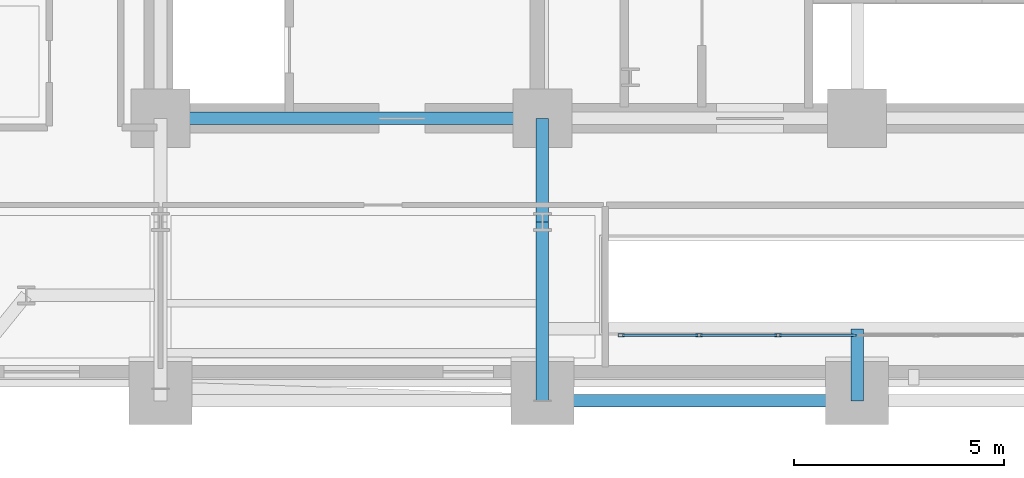
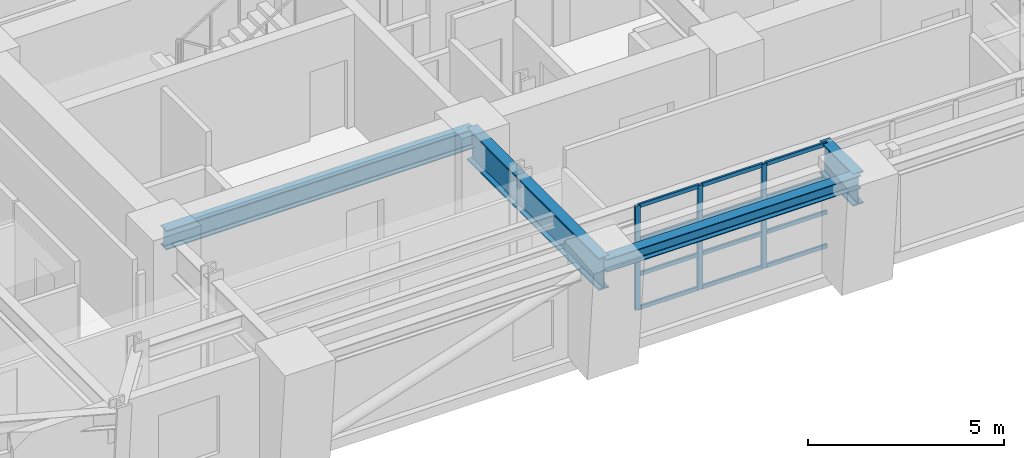
# One storey, part 2 of 16: 15 members, 5 beams, 1 element without a shape of its own.
"""IFC4 building model written with IfcOpenShell, lengths in metres."""

from ifc_helpers import new_model, si_unit, direction, frame, origin, origin_2d, place, context, subcontext, project, spatial, hollow_rectangle, i_section, extrude, material, layer, layer_set, material_profile, profile_set, type_object, element, aggregate, save


model = new_model("IFC4")

# Units and contexts
model_context = context("Model", 3, precision=1e-05, world=origin(), true_north=direction((0.0, 1.0)))
body_context = subcontext(model_context, "Body", "Model", "MODEL_VIEW")
ifc_project = project(units=[si_unit("LENGTHUNIT", "METRE"), si_unit("AREAUNIT", "SQUARE_METRE"), si_unit("VOLUMEUNIT", "CUBIC_METRE"), si_unit("PLANEANGLEUNIT", "RADIAN"), si_unit("MASSUNIT", "GRAM", prefix="KILO")], contexts=[model_context])

# Site, building, storey
site_placement = place(None, origin())
site = spatial("IfcSite", under=ifc_project, at=site_placement, CompositionType="ELEMENT")
building_placement = place(site_placement, origin())
building = spatial("IfcBuilding", under=site, at=building_placement, Name="Zarnavel Station Tower", CompositionType="ELEMENT")
storey_placement = place(building_placement, frame((0.0, 0.0, 53.5)))
storey = spatial("IfcBuildingStorey", under=building, at=storey_placement, Name="L14", CompositionType="ELEMENT", Elevation=53.5)

# Curtain wall, members
ifc_material_1 = material(Name="Aluminium Dark Anodised and Solar-Control Glass", Category="aluminium")
ifc_layer = layer(ifc_material_1, 0.179931640625)
ifc_layer_set = layer_set([ifc_layer], Name="CWS2")
curtain_wall_type = type_object("IfcCurtainWallType", Name="CWS2", PredefinedType="NOTDEFINED", material=ifc_layer_set)
curtain_wall_placement = place(storey_placement, origin())
curtain_wall = element("IfcCurtainWall", 1, at=curtain_wall_placement, inside=storey, type_object=curtain_wall_type, Name="L14 Curtain Wall CWS2-L14-AS", PredefinedType="NOTDEFINED")
ifc_material_2 = material(Name="Steel S355J2 (Black Fluoropolymer Coated)", Category="steel")
ifc_material_profile_1 = material_profile(ifc_material_2, hollow_rectangle(XDim=0.074951171875, YDim=0.14990234375, WallThickness=0.00634765625, at=origin_2d()), Name="RHS150x75x6.3")
ifc_profile_set_1 = profile_set([ifc_material_profile_1], Name="Steel S355J2 (Black Fluoropolymer Coated)")
member_type_1 = type_object("IfcMemberType", Name="CWS2_MUL", PredefinedType="MULLION", material=ifc_profile_set_1)
member_1_placement = place(storey_placement, frame((23.179931640625, 22.64990234375, 0.0), z_axis=(0.0, 0.0, 1.0), x_axis=(0.0, 1.0, 0.0)))
member_1 = element("IfcMember", 2, at=member_1_placement, type_object=member_type_1, Name="CW2 mullion 1", PredefinedType="MULLION", context=body_context, shape_type="SweptSolid", body=[
    extrude(hollow_rectangle(XDim=0.074951171875, YDim=0.14990234375, WallThickness=0.00634765625, at=origin_2d()), origin(), (0.0, 0.0, 1.0), 3.239990234375),
])
member_2_placement = place(storey_placement, frame((25.033447265625, 22.64990234375, 0.0), z_axis=(0.0, 0.0, 1.0), x_axis=(0.0, 1.0, 0.0)))
member_2 = element("IfcMember", 3, at=member_2_placement, type_object=member_type_1, Name="CW2 mullion 2", PredefinedType="MULLION", context=body_context, shape_type="SweptSolid", body=[
    extrude(hollow_rectangle(XDim=0.074951171875, YDim=0.14990234375, WallThickness=0.00634765625, at=origin_2d()), origin(), (0.0, 0.0, 1.0), 3.239990234375),
])
member_3_placement = place(storey_placement, frame((26.916748046875, 22.64990234375, 0.0), z_axis=(0.0, 0.0, 1.0), x_axis=(0.0, 1.0, 0.0)))
member_3 = element("IfcMember", 4, at=member_3_placement, type_object=member_type_1, Name="CW2 mullion 3", PredefinedType="MULLION", context=body_context, shape_type="SweptSolid", body=[
    extrude(hollow_rectangle(XDim=0.074951171875, YDim=0.14990234375, WallThickness=0.00634765625, at=origin_2d()), origin(), (0.0, 0.0, 1.0), 3.239990234375),
])
ifc_material_3 = material(Name="Steel S355J2 (Black Fluoropolymer Coated)", Category="steel")
ifc_material_profile_2 = material_profile(ifc_material_3, hollow_rectangle(XDim=0.06005859375, YDim=0.1201171875, WallThickness=0.0048828125, at=origin_2d()), Name="RHS120x60x5")
ifc_profile_set_2 = profile_set([ifc_material_profile_2], Name="Steel S355J2 (Black Fluoropolymer Coated)")
member_type_2 = type_object("IfcMemberType", Name="CWS2_TRN", PredefinedType="USERDEFINED", material=ifc_profile_set_2)
member_4_placement = place(storey_placement, frame((23.2099609375, 22.64990234375, 0.030029296875), z_axis=(1.0, 0.0, 0.0), x_axis=(0.0, 1.0, 0.0)))
member_4 = element("IfcMember", 5, at=member_4_placement, type_object=member_type_2, Name="CW2 transom 1.1", ObjectType="TRANSOM", PredefinedType="USERDEFINED", context=body_context, shape_type="SweptSolid", body=[
    extrude(hollow_rectangle(XDim=0.06005859375, YDim=0.1201171875, WallThickness=0.0048828125, at=origin_2d()), origin(), (0.0, 0.0, 1.0), 1.79345703125),
])
member_5_placement = place(storey_placement, frame((23.2099609375, 22.64990234375, 1.080078125), z_axis=(1.0, 0.0, 0.0), x_axis=(0.0, 1.0, 0.0)))
member_5 = element("IfcMember", 6, at=member_5_placement, type_object=member_type_2, Name="CW2 transom 1.2", ObjectType="TRANSOM", PredefinedType="USERDEFINED", context=body_context, shape_type="SweptSolid", body=[
    extrude(hollow_rectangle(XDim=0.06005859375, YDim=0.1201171875, WallThickness=0.0048828125, at=origin_2d()), origin(), (0.0, 0.0, 1.0), 1.79345703125),
])
member_6_placement = place(storey_placement, frame((23.2099609375, 22.64990234375, 2.159912109375), z_axis=(1.0, 0.0, 0.0), x_axis=(0.0, 1.0, 0.0)))
member_6 = element("IfcMember", 7, at=member_6_placement, type_object=member_type_2, Name="CW2 transom 1.3", ObjectType="TRANSOM", PredefinedType="USERDEFINED", context=body_context, shape_type="SweptSolid", body=[
    extrude(hollow_rectangle(XDim=0.06005859375, YDim=0.1201171875, WallThickness=0.0048828125, at=origin_2d()), origin(), (0.0, 0.0, 1.0), 1.79345703125),
])
member_7_placement = place(storey_placement, frame((23.2099609375, 22.64990234375, 3.2099609375), z_axis=(1.0, 0.0, 0.0), x_axis=(0.0, 1.0, 0.0)))
member_7 = element("IfcMember", 8, at=member_7_placement, type_object=member_type_2, Name="CW2 transom 1.4", ObjectType="TRANSOM", PredefinedType="USERDEFINED", context=body_context, shape_type="SweptSolid", body=[
    extrude(hollow_rectangle(XDim=0.06005859375, YDim=0.1201171875, WallThickness=0.0048828125, at=origin_2d()), origin(), (0.0, 0.0, 1.0), 1.79345703125),
])
member_8_placement = place(storey_placement, frame((25.063232421875, 22.64990234375, 0.030029296875), z_axis=(1.0, 0.0, 0.0), x_axis=(0.0, 1.0, 0.0)))
member_8 = element("IfcMember", 9, at=member_8_placement, type_object=member_type_2, Name="CW2 transom 2.1", ObjectType="TRANSOM", PredefinedType="USERDEFINED", context=body_context, shape_type="SweptSolid", body=[
    extrude(hollow_rectangle(XDim=0.06005859375, YDim=0.1201171875, WallThickness=0.0048828125, at=origin_2d()), origin(), (0.0, 0.0, 1.0), 1.823486328125),
])
member_9_placement = place(storey_placement, frame((25.063232421875, 22.64990234375, 1.080078125), z_axis=(1.0, 0.0, 0.0), x_axis=(0.0, 1.0, 0.0)))
member_9 = element("IfcMember", 10, at=member_9_placement, type_object=member_type_2, Name="CW2 transom 2.2", ObjectType="TRANSOM", PredefinedType="USERDEFINED", context=body_context, shape_type="SweptSolid", body=[
    extrude(hollow_rectangle(XDim=0.06005859375, YDim=0.1201171875, WallThickness=0.0048828125, at=origin_2d()), origin(), (0.0, 0.0, 1.0), 1.823486328125),
])
member_10_placement = place(storey_placement, frame((25.063232421875, 22.64990234375, 2.159912109375), z_axis=(1.0, 0.0, 0.0), x_axis=(0.0, 1.0, 0.0)))
member_10 = element("IfcMember", 11, at=member_10_placement, type_object=member_type_2, Name="CW2 transom 2.3", ObjectType="TRANSOM", PredefinedType="USERDEFINED", context=body_context, shape_type="SweptSolid", body=[
    extrude(hollow_rectangle(XDim=0.06005859375, YDim=0.1201171875, WallThickness=0.0048828125, at=origin_2d()), origin(), (0.0, 0.0, 1.0), 1.823486328125),
])
member_11_placement = place(storey_placement, frame((25.063232421875, 22.64990234375, 3.2099609375), z_axis=(1.0, 0.0, 0.0), x_axis=(0.0, 1.0, 0.0)))
member_11 = element("IfcMember", 12, at=member_11_placement, type_object=member_type_2, Name="CW2 transom 2.4", ObjectType="TRANSOM", PredefinedType="USERDEFINED", context=body_context, shape_type="SweptSolid", body=[
    extrude(hollow_rectangle(XDim=0.06005859375, YDim=0.1201171875, WallThickness=0.0048828125, at=origin_2d()), origin(), (0.0, 0.0, 1.0), 1.823486328125),
])
member_12_placement = place(storey_placement, frame((26.94677734375, 22.64990234375, 0.030029296875), z_axis=(1.0, 0.0, 0.0), x_axis=(0.0, 1.0, 0.0)))
member_12 = element("IfcMember", 13, at=member_12_placement, type_object=member_type_2, Name="CW2 transom 3.1", ObjectType="TRANSOM", PredefinedType="USERDEFINED", context=body_context, shape_type="SweptSolid", body=[
    extrude(hollow_rectangle(XDim=0.06005859375, YDim=0.1201171875, WallThickness=0.0048828125, at=origin_2d()), origin(), (0.0, 0.0, 1.0), 1.8232421875),
])
member_13_placement = place(storey_placement, frame((26.94677734375, 22.64990234375, 1.080078125), z_axis=(1.0, 0.0, 0.0), x_axis=(0.0, 1.0, 0.0)))
member_13 = element("IfcMember", 14, at=member_13_placement, type_object=member_type_2, Name="CW2 transom 3.2", ObjectType="TRANSOM", PredefinedType="USERDEFINED", context=body_context, shape_type="SweptSolid", body=[
    extrude(hollow_rectangle(XDim=0.06005859375, YDim=0.1201171875, WallThickness=0.0048828125, at=origin_2d()), origin(), (0.0, 0.0, 1.0), 1.8232421875),
])
member_14_placement = place(storey_placement, frame((26.94677734375, 22.64990234375, 2.159912109375), z_axis=(1.0, 0.0, 0.0), x_axis=(0.0, 1.0, 0.0)))
member_14 = element("IfcMember", 15, at=member_14_placement, type_object=member_type_2, Name="CW2 transom 3.3", ObjectType="TRANSOM", PredefinedType="USERDEFINED", context=body_context, shape_type="SweptSolid", body=[
    extrude(hollow_rectangle(XDim=0.06005859375, YDim=0.1201171875, WallThickness=0.0048828125, at=origin_2d()), origin(), (0.0, 0.0, 1.0), 1.8232421875),
])
member_15_placement = place(storey_placement, frame((26.94677734375, 22.64990234375, 3.2099609375), z_axis=(1.0, 0.0, 0.0), x_axis=(0.0, 1.0, 0.0)))
member_15 = element("IfcMember", 16, at=member_15_placement, type_object=member_type_2, Name="CW2 transom 3.4", ObjectType="TRANSOM", PredefinedType="USERDEFINED", context=body_context, shape_type="SweptSolid", body=[
    extrude(hollow_rectangle(XDim=0.06005859375, YDim=0.1201171875, WallThickness=0.0048828125, at=origin_2d()), origin(), (0.0, 0.0, 1.0), 1.8232421875),
])
aggregate(curtain_wall, [member_1, member_2, member_3, member_4, member_5, member_6, member_7, member_8, member_9, member_10, member_11, member_12, member_13, member_14, member_15])

# Beams
ifc_material_4 = material(Name="Steel S355J2", Category="steel")
ifc_material_profile_3 = material_profile(ifc_material_4, i_section(OverallWidth=0.300048828125, OverallDepth=0.39990234375, WebThickness=0.013427734375, FlangeThickness=0.02392578125, FilletRadius=0.027099609375, at=origin_2d()), Name="HEB400")
ifc_profile_set_3 = profile_set([ifc_material_profile_3], Name="Steel S355J2")
beam_type_1 = type_object("IfcBeamType", Name="EB_HEB400", PredefinedType="SPANDREL", material=ifc_profile_set_3)
beam_1_placement = place(storey_placement, frame((21.300048828125, 21.086181640625, 3.0400390625), z_axis=(1.0, 0.0, 0.0), x_axis=(0.0, 1.0, 0.0)))
element("IfcBeam", 17, at=beam_1_placement, inside=storey, type_object=beam_type_1, Name="L14 South Raked Spandrel 2", PredefinedType="SPANDREL", context=body_context, shape_type="SweptSolid", body=[
    extrude(i_section(OverallWidth=0.300048828125, OverallDepth=0.39990234375, WebThickness=0.013427734375, FlangeThickness=0.02392578125, FilletRadius=0.027099609375, at=origin_2d()), origin(), (0.0, 0.0, 1.0), 7.5),
])
ifc_material_5 = material(Name="Steel S355J2", Category="steel")
ifc_material_profile_4 = material_profile(ifc_material_5, i_section(OverallWidth=0.300048828125, OverallDepth=0.60009765625, WebThickness=0.015380859375, FlangeThickness=0.030029296875, FilletRadius=0.027099609375, at=origin_2d()), Name="HEB600")
ifc_profile_set_4 = profile_set([ifc_material_profile_4], Name="Steel S355J2")
beam_type_2 = type_object("IfcBeamType", Name="FG_HEB600", PredefinedType="USERDEFINED", material=ifc_profile_set_4)
beam_2_placement = place(storey_placement, frame((12.199951171875, 27.820068359375, 2.93994140625), z_axis=(1.0, 0.0, 0.0), x_axis=(0.0, 1.0, 0.0)))
element("IfcBeam", 18, at=beam_2_placement, inside=storey, type_object=beam_type_2, Name="L14 Core Front Coupling Beam 1", ObjectType="GIRDER", PredefinedType="USERDEFINED", context=body_context, shape_type="SweptSolid", body=[
    extrude(i_section(OverallWidth=0.300048828125, OverallDepth=0.60009765625, WebThickness=0.015380859375, FlangeThickness=0.030029296875, FilletRadius=0.027099609375, at=origin_2d()), origin(), (0.0, 0.0, 1.0), 9.10009765625),
])
ifc_material_6 = material(Name="Steel S460M", Category="steel")
ifc_material_profile_5 = material_profile(ifc_material_6, i_section(OverallWidth=0.302001953125, OverallDepth=1.008056640625, WebThickness=0.02099609375, FlangeThickness=0.0400390625, FilletRadius=0.030029296875, at=origin_2d()), Name="HEM1000")
ifc_profile_set_5 = profile_set([ifc_material_profile_5], Name="Steel S460M")
beam_type_3 = type_object("IfcBeamType", Name="TG_HEM1000", PredefinedType="USERDEFINED", material=ifc_profile_set_5)
beam_3_placement = place(storey_placement, frame((21.300048828125, 21.086181640625, 2.736083984375), z_axis=(0.0, 1.0, 0.0), x_axis=(-1.0, 0.0, 0.0)))
element("IfcBeam", 19, at=beam_3_placement, inside=storey, type_object=beam_type_3, Name="L14 South-Zone NS Girder 2", ObjectType="GIRDER", PredefinedType="USERDEFINED", context=body_context, shape_type="SweptSolid", body=[
    extrude(i_section(OverallWidth=0.302001953125, OverallDepth=1.008056640625, WebThickness=0.02099609375, FlangeThickness=0.0400390625, FilletRadius=0.030029296875, at=origin_2d()), origin(), (0.0, 0.0, 1.0), 4.263916015625),
])
beam_4_placement = place(storey_placement, frame((21.300048828125, 25.35009765625, 2.736083984375), z_axis=(0.0, 1.0, 0.0), x_axis=(-1.0, 0.0, 0.0)))
element("IfcBeam", 20, at=beam_4_placement, inside=storey, type_object=beam_type_3, Name="L14 Inner-Zone NS Girder 2", ObjectType="GIRDER", PredefinedType="USERDEFINED", context=body_context, shape_type="SweptSolid", body=[
    extrude(i_section(OverallWidth=0.302001953125, OverallDepth=1.008056640625, WebThickness=0.02099609375, FlangeThickness=0.0400390625, FilletRadius=0.030029296875, at=origin_2d()), origin(), (0.0, 0.0, 1.0), 2.469970703125),
])
beam_5_placement = place(storey_placement, frame((28.800048828125, 21.086181640625, 2.736083984375), z_axis=(0.0, 1.0, 0.0), x_axis=(-1.0, 0.0, 0.0)))
element("IfcBeam", 21, at=beam_5_placement, inside=storey, type_object=beam_type_3, Name="L14 Central Atrium-South Girder", ObjectType="GIRDER", PredefinedType="USERDEFINED", context=body_context, shape_type="SweptSolid", body=[
    extrude(i_section(OverallWidth=0.302001953125, OverallDepth=1.008056640625, WebThickness=0.02099609375, FlangeThickness=0.0400390625, FilletRadius=0.030029296875, at=origin_2d()), origin(), (0.0, 0.0, 1.0), 1.7138671875),
])

save(model, "model.ifc")
